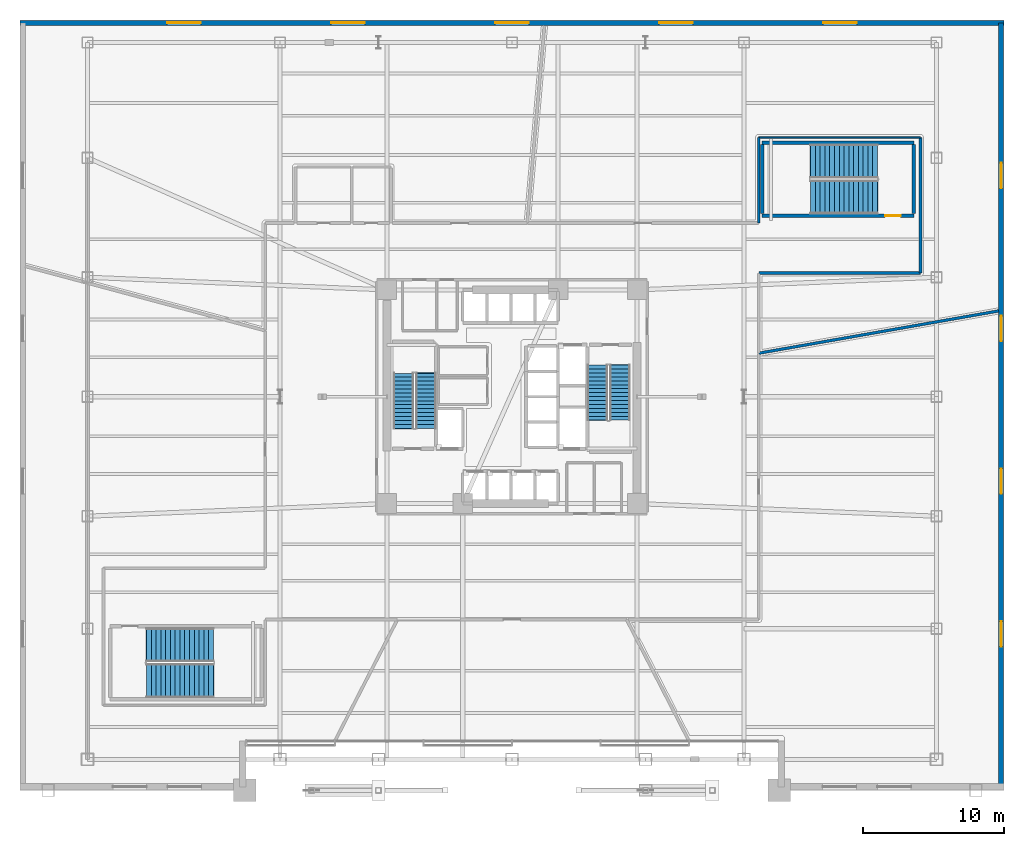
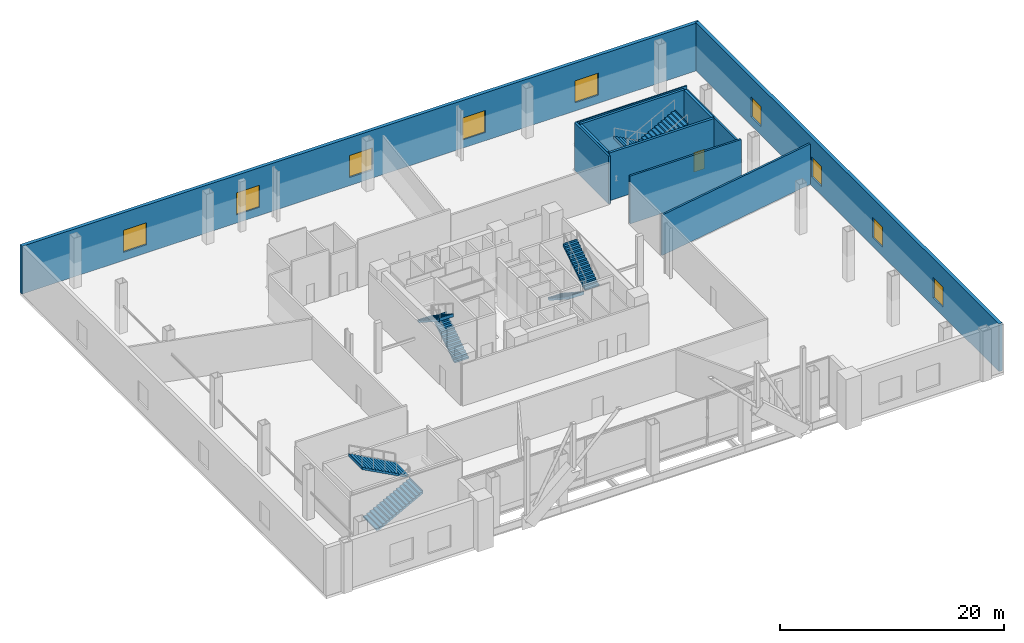
# One storey, part 11 of 16: 11 walls, 9 windows, 8 stair flights, 1 door, 10 openings, 4 elements without a shape of their own.
"""IFC4 building model written with IfcOpenShell, lengths in metres."""

from ifc_helpers import new_model, si_unit, direction, frame, frame_2d, origin, place, context, subcontext, project, spatial, polyline, rectangle, outline, extrude, material, layer, layer_set, type_object, element, fill, aggregate, save


model = new_model("IFC4")

# Units and contexts
model_context = context("Model", 3, precision=1e-05, world=origin(), true_north=direction((0.0, 1.0)))
body_context = subcontext(model_context, "Body", "Model", "MODEL_VIEW")
ifc_project = project(units=[si_unit("LENGTHUNIT", "METRE"), si_unit("AREAUNIT", "SQUARE_METRE"), si_unit("VOLUMEUNIT", "CUBIC_METRE"), si_unit("PLANEANGLEUNIT", "RADIAN"), si_unit("MASSUNIT", "GRAM", prefix="KILO")], contexts=[model_context])

# Site, building, storey
site_placement = place(None, origin())
site = spatial("IfcSite", under=ifc_project, at=site_placement, CompositionType="ELEMENT")
building_placement = place(site_placement, origin())
building = spatial("IfcBuilding", under=site, at=building_placement, Name="Tharavind Bronze Gate", CompositionType="ELEMENT")
storey_placement = place(building_placement, frame((0.0, 0.0, 5.5)))
storey = spatial("IfcBuildingStorey", under=building, at=storey_placement, Name="L01", CompositionType="ELEMENT", Elevation=5.5)

# Wall, openings, windows
ifc_material_1 = material(Name="Concrete C40/50", Category="concrete")
ifc_layer_1 = layer(ifc_material_1, 0.35009765625)
ifc_layer_set_1 = layer_set([ifc_layer_1], Name="Concrete C40/50")
wall_type_1 = type_object("IfcWallType", Name="EXTERIOR SPANDREL WALL 350", PredefinedType="STANDARD", material=ifc_layer_set_1)
wall_1_placement = place(storey_placement, frame((35.0, 26.60009765625, 0.0), z_axis=(0.0, 0.0, 1.0), x_axis=(-1.0, 0.0, 0.0)))
wall_1 = element("IfcWall", 1, at=wall_1_placement, inside=storey, type_object=wall_type_1, Name="L01 podium north facade wall", PredefinedType="STANDARD", context=body_context, shape_type="SweptSolid", body=[
    extrude(rectangle(XDim=70.0, YDim=0.35009765625, at=frame_2d((35.0, 0.0))), origin(), (0.0, 0.0, 1.0), 5.219970703125),
])
opening_1_placement = place(wall_1_placement, frame((10.467041015625, 0.0, 0.89990234375)))
opening_1 = element("IfcOpeningElement", 2, at=opening_1_placement, cuts=wall_1, Name="Opening W03", PredefinedType="OPENING", context=body_context, shape_type="SweptSolid", body=[
    extrude(rectangle(XDim=2.39990234375, YDim=2.39990234375, at=frame_2d((1.199951171875, 1.199951171875))), frame((0.0, 0.185048828125, 0.0), z_axis=(0.0, -1.0, 0.0), x_axis=(1.0, 0.0, 0.0)), (0.0, 0.0, 1.0), 0.37009765625),
])
opening_2_placement = place(wall_1_placement, frame((22.133056640625, 0.0, 0.89990234375)))
opening_2 = element("IfcOpeningElement", 3, at=opening_2_placement, cuts=wall_1, Name="Opening W03", PredefinedType="OPENING", context=body_context, shape_type="SweptSolid", body=[
    extrude(rectangle(XDim=2.39990234375, YDim=2.39990234375, at=frame_2d((1.199951171875, 1.199951171875))), frame((0.0, 0.185048828125, 0.0), z_axis=(0.0, -1.0, 0.0), x_axis=(1.0, 0.0, 0.0)), (0.0, 0.0, 1.0), 0.37009765625),
])
opening_3_placement = place(wall_1_placement, frame((33.800048828125, 0.0, 0.89990234375)))
opening_3 = element("IfcOpeningElement", 4, at=opening_3_placement, cuts=wall_1, Name="Opening W03", PredefinedType="OPENING", context=body_context, shape_type="SweptSolid", body=[
    extrude(rectangle(XDim=2.39990234375, YDim=2.39990234375, at=frame_2d((1.199951171875, 1.199951171875))), frame((0.0, 0.185048828125, 0.0), z_axis=(0.0, -1.0, 0.0), x_axis=(1.0, 0.0, 0.0)), (0.0, 0.0, 1.0), 0.37009765625),
])
opening_4_placement = place(wall_1_placement, frame((45.467041015625, 0.0, 0.89990234375)))
opening_4 = element("IfcOpeningElement", 5, at=opening_4_placement, cuts=wall_1, Name="Opening W03", PredefinedType="OPENING", context=body_context, shape_type="SweptSolid", body=[
    extrude(rectangle(XDim=2.39990234375, YDim=2.39990234375, at=frame_2d((1.199951171875, 1.199951171875))), frame((0.0, 0.185048828125, 0.0), z_axis=(0.0, -1.0, 0.0), x_axis=(1.0, 0.0, 0.0)), (0.0, 0.0, 1.0), 0.37009765625),
])
opening_5_placement = place(wall_1_placement, frame((57.133056640625, 0.0, 0.89990234375)))
opening_5 = element("IfcOpeningElement", 6, at=opening_5_placement, cuts=wall_1, Name="Opening W03", PredefinedType="OPENING", context=body_context, shape_type="SweptSolid", body=[
    extrude(rectangle(XDim=2.39990234375, YDim=2.39990234375, at=frame_2d((1.199951171875, 1.199951171875))), frame((0.0, 0.185048828125, 0.0), z_axis=(0.0, -1.0, 0.0), x_axis=(1.0, 0.0, 0.0)), (0.0, 0.0, 1.0), 0.37009765625),
])
ifc_material_2 = material(Name="Bronze Aluminium & Low-E Glass", Category="aluminium")
window_type_1 = type_object("IfcWindowType", Name="PODIUM RIBBON BRONZE WINDOW 2400X2400", PartitioningType="TRIPLE_PANEL_VERTICAL", PredefinedType="WINDOW", material=ifc_material_2)
window_1_placement = place(opening_1_placement, origin())
window_1 = element("IfcWindow", 7, at=window_1_placement, inside=storey, type_object=window_type_1, Name="L01 exterior window WL-L01-NO-01", OverallHeight=2.39990234375, OverallWidth=2.39990234375, PartitioningType="SINGLE_PANEL", PredefinedType="WINDOW", context=body_context, shape_type="SweptSolid", body=[
    extrude(rectangle(XDim=2.39990234375, YDim=2.39990234375, at=frame_2d((1.199951171875, 1.199951171875))), frame((0.0, 0.030029296875, 0.0), z_axis=(0.0, -1.0, 0.0), x_axis=(1.0, 0.0, 0.0)), (0.0, 0.0, 1.0), 0.06005859375),
])
fill(opening_1, window_1)
window_2_placement = place(opening_2_placement, origin())
window_2 = element("IfcWindow", 8, at=window_2_placement, inside=storey, type_object=window_type_1, Name="L01 exterior window WL-L01-NO-02", OverallHeight=2.39990234375, OverallWidth=2.39990234375, PartitioningType="SINGLE_PANEL", PredefinedType="WINDOW", context=body_context, shape_type="SweptSolid", body=[
    extrude(rectangle(XDim=2.39990234375, YDim=2.39990234375, at=frame_2d((1.199951171875, 1.199951171875))), frame((0.0, 0.030029296875, 0.0), z_axis=(0.0, -1.0, 0.0), x_axis=(1.0, 0.0, 0.0)), (0.0, 0.0, 1.0), 0.06005859375),
])
fill(opening_2, window_2)
window_3_placement = place(opening_3_placement, origin())
window_3 = element("IfcWindow", 9, at=window_3_placement, inside=storey, type_object=window_type_1, Name="L01 exterior window WL-L01-NO-03", OverallHeight=2.39990234375, OverallWidth=2.39990234375, PartitioningType="SINGLE_PANEL", PredefinedType="WINDOW", context=body_context, shape_type="SweptSolid", body=[
    extrude(rectangle(XDim=2.39990234375, YDim=2.39990234375, at=frame_2d((1.199951171875, 1.199951171875))), frame((0.0, 0.030029296875, 0.0), z_axis=(0.0, -1.0, 0.0), x_axis=(1.0, 0.0, 0.0)), (0.0, 0.0, 1.0), 0.06005859375),
])
fill(opening_3, window_3)
window_4_placement = place(opening_4_placement, origin())
window_4 = element("IfcWindow", 10, at=window_4_placement, inside=storey, type_object=window_type_1, Name="L01 exterior window WL-L01-NO-04", OverallHeight=2.39990234375, OverallWidth=2.39990234375, PartitioningType="SINGLE_PANEL", PredefinedType="WINDOW", context=body_context, shape_type="SweptSolid", body=[
    extrude(rectangle(XDim=2.39990234375, YDim=2.39990234375, at=frame_2d((1.199951171875, 1.199951171875))), frame((0.0, 0.030029296875, 0.0), z_axis=(0.0, -1.0, 0.0), x_axis=(1.0, 0.0, 0.0)), (0.0, 0.0, 1.0), 0.06005859375),
])
fill(opening_4, window_4)
window_5_placement = place(opening_5_placement, origin())
window_5 = element("IfcWindow", 11, at=window_5_placement, inside=storey, type_object=window_type_1, Name="L01 exterior window WL-L01-NO-05", OverallHeight=2.39990234375, OverallWidth=2.39990234375, PartitioningType="SINGLE_PANEL", PredefinedType="WINDOW", context=body_context, shape_type="SweptSolid", body=[
    extrude(rectangle(XDim=2.39990234375, YDim=2.39990234375, at=frame_2d((1.199951171875, 1.199951171875))), frame((0.0, 0.030029296875, 0.0), z_axis=(0.0, -1.0, 0.0), x_axis=(1.0, 0.0, 0.0)), (0.0, 0.0, 1.0), 0.06005859375),
])
fill(opening_5, window_5)

wall_2_placement = place(storey_placement, frame((34.800048828125, -27.75, 0.0), z_axis=(0.0, 0.0, 1.0), x_axis=(0.0, 1.0, 0.0)))
wall_2 = element("IfcWall", 12, at=wall_2_placement, inside=storey, type_object=wall_type_1, Name="L01 podium east facade wall", PredefinedType="STANDARD", context=body_context, shape_type="SweptSolid", body=[
    extrude(rectangle(XDim=54.35009765625, YDim=0.35009765625, at=frame_2d((27.175048828125, 0.0))), origin(), (0.0, 0.0, 1.0), 5.219970703125),
])
opening_6_placement = place(wall_2_placement, frame((9.969970703125, 0.0, 0.949951171875)))
opening_6 = element("IfcOpeningElement", 13, at=opening_6_placement, cuts=wall_2, Name="Opening W02", PredefinedType="OPENING", context=body_context, shape_type="SweptSolid", body=[
    extrude(rectangle(XDim=1.800048828125, YDim=2.199951171875, at=frame_2d((0.89990234375, 1.10009765625))), frame((0.0, 0.185048828125, 0.0), z_axis=(0.0, -1.0, 0.0), x_axis=(1.0, 0.0, 0.0)), (0.0, 0.0, 1.0), 0.37009765625),
])
opening_7_placement = place(wall_2_placement, frame((20.840087890625, 0.0, 0.949951171875)))
opening_7 = element("IfcOpeningElement", 14, at=opening_7_placement, cuts=wall_2, Name="Opening W02", PredefinedType="OPENING", context=body_context, shape_type="SweptSolid", body=[
    extrude(rectangle(XDim=1.800048828125, YDim=2.199951171875, at=frame_2d((0.89990234375, 1.10009765625))), frame((0.0, 0.185048828125, 0.0), z_axis=(0.0, -1.0, 0.0), x_axis=(1.0, 0.0, 0.0)), (0.0, 0.0, 1.0), 0.37009765625),
])
opening_8_placement = place(wall_2_placement, frame((31.7099609375, 0.0, 0.949951171875)))
opening_8 = element("IfcOpeningElement", 15, at=opening_8_placement, cuts=wall_2, Name="Opening W02", PredefinedType="OPENING", context=body_context, shape_type="SweptSolid", body=[
    extrude(rectangle(XDim=1.800048828125, YDim=2.199951171875, at=frame_2d((0.89990234375, 1.10009765625))), frame((0.0, 0.185048828125, 0.0), z_axis=(0.0, -1.0, 0.0), x_axis=(1.0, 0.0, 0.0)), (0.0, 0.0, 1.0), 0.37009765625),
])
opening_9_placement = place(wall_2_placement, frame((42.580078125, 0.0, 0.949951171875)))
opening_9 = element("IfcOpeningElement", 16, at=opening_9_placement, cuts=wall_2, Name="Opening W02", PredefinedType="OPENING", context=body_context, shape_type="SweptSolid", body=[
    extrude(rectangle(XDim=1.800048828125, YDim=2.199951171875, at=frame_2d((0.89990234375, 1.10009765625))), frame((0.0, 0.185048828125, 0.0), z_axis=(0.0, -1.0, 0.0), x_axis=(1.0, 0.0, 0.0)), (0.0, 0.0, 1.0), 0.37009765625),
])
window_type_2 = type_object("IfcWindowType", Name="DOUBLE PANEL BRONZE WINDOW 1800X2200", PartitioningType="DOUBLE_PANEL_VERTICAL", PredefinedType="WINDOW", material=ifc_material_2)
window_6_placement = place(opening_6_placement, origin())
window_6 = element("IfcWindow", 17, at=window_6_placement, inside=storey, type_object=window_type_2, Name="L01 exterior window WL-L01-EA-01", OverallHeight=2.199951171875, OverallWidth=1.800048828125, PartitioningType="SINGLE_PANEL", PredefinedType="WINDOW", context=body_context, shape_type="SweptSolid", body=[
    extrude(rectangle(XDim=1.800048828125, YDim=2.199951171875, at=frame_2d((0.89990234375, 1.10009765625))), frame((0.0, 0.030029296875, 0.0), z_axis=(0.0, -1.0, 0.0), x_axis=(1.0, 0.0, 0.0)), (0.0, 0.0, 1.0), 0.06005859375),
])
fill(opening_6, window_6)
window_7_placement = place(opening_7_placement, origin())
window_7 = element("IfcWindow", 18, at=window_7_placement, inside=storey, type_object=window_type_2, Name="L01 exterior window WL-L01-EA-02", OverallHeight=2.199951171875, OverallWidth=1.800048828125, PartitioningType="SINGLE_PANEL", PredefinedType="WINDOW", context=body_context, shape_type="SweptSolid", body=[
    extrude(rectangle(XDim=1.800048828125, YDim=2.199951171875, at=frame_2d((0.89990234375, 1.10009765625))), frame((0.0, 0.030029296875, 0.0), z_axis=(0.0, -1.0, 0.0), x_axis=(1.0, 0.0, 0.0)), (0.0, 0.0, 1.0), 0.06005859375),
])
fill(opening_7, window_7)
window_8_placement = place(opening_8_placement, origin())
window_8 = element("IfcWindow", 19, at=window_8_placement, inside=storey, type_object=window_type_2, Name="L01 exterior window WL-L01-EA-03", OverallHeight=2.199951171875, OverallWidth=1.800048828125, PartitioningType="SINGLE_PANEL", PredefinedType="WINDOW", context=body_context, shape_type="SweptSolid", body=[
    extrude(rectangle(XDim=1.800048828125, YDim=2.199951171875, at=frame_2d((0.89990234375, 1.10009765625))), frame((0.0, 0.030029296875, 0.0), z_axis=(0.0, -1.0, 0.0), x_axis=(1.0, 0.0, 0.0)), (0.0, 0.0, 1.0), 0.06005859375),
])
fill(opening_8, window_8)
window_9_placement = place(opening_9_placement, origin())
window_9 = element("IfcWindow", 20, at=window_9_placement, inside=storey, type_object=window_type_2, Name="L01 exterior window WL-L01-EA-04", OverallHeight=2.199951171875, OverallWidth=1.800048828125, PartitioningType="SINGLE_PANEL", PredefinedType="WINDOW", context=body_context, shape_type="SweptSolid", body=[
    extrude(rectangle(XDim=1.800048828125, YDim=2.199951171875, at=frame_2d((0.89990234375, 1.10009765625))), frame((0.0, 0.030029296875, 0.0), z_axis=(0.0, -1.0, 0.0), x_axis=(1.0, 0.0, 0.0)), (0.0, 0.0, 1.0), 0.06005859375),
])
fill(opening_9, window_9)

# Walls
ifc_material_3 = material(Name="Aerated Concrete Block", Category="concrete")
ifc_layer_2 = layer(ifc_material_3, 0.199951171875)
ifc_layer_set_2 = layer_set([ifc_layer_2], Name="Aerated Concrete Block")
wall_type_2 = type_object("IfcWallType", Name="FIRE RATED PARTITION 200", PredefinedType="PARTITIONING", material=ifc_layer_set_2)
wall_3_placement = place(storey_placement, frame((17.550048828125, 18.449462890625, 0.0), z_axis=(0.0, 0.0, 1.0), x_axis=(0.0, -1.0, 0.0)))
element("IfcWall", 21, at=wall_3_placement, inside=storey, type_object=wall_type_2, Name="L01 Mezzanine Art Gallery partition", PredefinedType="PARTITIONING", context=body_context, shape_type="SweptSolid", body=[
    extrude(rectangle(XDim=6.074462890625, YDim=0.199951171875, at=frame_2d((3.037109375, 0.0))), origin(), (0.0, 0.0, 1.0), 5.219970703125),
])
wall_4_placement = place(storey_placement, frame((34.6201171875, 6.1044921875, 0.0), z_axis=(0.0, 0.0, 1.0), x_axis=(-0.984806418521, -0.173655745772, 0.0)))
element("IfcWall", 22, at=wall_4_placement, inside=storey, type_object=wall_type_2, Name="L01 Mezzanine Art Gallery partition", PredefinedType="PARTITIONING", context=body_context, shape_type="SweptSolid", body=[
    extrude(rectangle(XDim=17.3037109375, YDim=0.199951171875, at=frame_2d((8.65185546875, 0.0))), origin(), (0.0, 0.0, 1.0), 4.4150390625),
])
wall_5_placement = place(storey_placement, frame((17.574951171875, 8.800048828125, 0.0), z_axis=(0.0, 0.0, 1.0), x_axis=(1.0, 0.0, 0.0)))
element("IfcWall", 23, at=wall_5_placement, inside=storey, type_object=wall_type_2, Name="L01 Mezzanine Art Gallery partition", PredefinedType="PARTITIONING", context=body_context, shape_type="SweptSolid", body=[
    extrude(rectangle(XDim=11.474365234375, YDim=0.199951171875, at=frame_2d((5.7373046875, 0.0))), origin(), (0.0, 0.0, 1.0), 5.219970703125),
])
wall_6_placement = place(storey_placement, frame((29.050048828125, 8.800537109375, 0.0), z_axis=(0.0, 0.0, 1.0), x_axis=(0.0, 1.0, 0.0)))
element("IfcWall", 24, at=wall_6_placement, inside=storey, type_object=wall_type_2, Name="L01 Mezzanine Art Gallery partition", PredefinedType="PARTITIONING", context=body_context, shape_type="SweptSolid", body=[
    extrude(rectangle(XDim=9.64892578125, YDim=0.199951171875, at=frame_2d((4.824462890625, 0.0))), origin(), (0.0, 0.0, 1.0), 4.764892578125),
])
ifc_material_4 = material(Name="Metal Stud Gypsum Partition", Category="gypsum")
ifc_layer_3 = layer(ifc_material_4, 0.1201171875)
ifc_layer_set_3 = layer_set([ifc_layer_3], Name="Metal Stud Gypsum Partition")
wall_type_3 = type_object("IfcWallType", Name="INTERIOR PARTITION WALL 120", PredefinedType="PARTITIONING", material=ifc_layer_set_3)
wall_7_placement = place(storey_placement, frame((29.04931640625, 18.449951171875, 0.0), z_axis=(0.0, 0.0, 1.0), x_axis=(-1.0, 0.0, 0.0)))
element("IfcWall", 25, at=wall_7_placement, inside=storey, type_object=wall_type_3, Name="L01 Mezzanine Art Gallery partition", PredefinedType="PARTITIONING", context=body_context, shape_type="SweptSolid", body=[
    extrude(rectangle(XDim=11.498779296875, YDim=0.1201171875, at=frame_2d((5.74951171875, 0.0))), origin(), (0.0, 0.0, 1.0), 5.219970703125),
])

# Wall, opening, door
ifc_material_5 = material(Name="Concrete C50/60", Category="concrete")
ifc_layer_4 = layer(ifc_material_5, 0.25)
ifc_layer_set_4 = layer_set([ifc_layer_4], Name="Concrete C50/60")
wall_type_4 = type_object("IfcWallType", Name="RC CORE SHEAR WALL 250", PredefinedType="SHEAR", material=ifc_layer_set_4)
wall_8_placement = place(storey_placement, frame((17.800048828125, 12.8701171875, 0.0), z_axis=(0.0, 0.0, 1.0), x_axis=(1.0, 0.0, 0.0)))
wall_8 = element("IfcWall", 26, at=wall_8_placement, inside=storey, type_object=wall_type_4, Name="L01 ST4 south wall", PredefinedType="SHEAR", context=body_context, shape_type="SweptSolid", body=[
    extrude(rectangle(XDim=10.780029296875, YDim=0.25, at=frame_2d((5.39013671875, 0.0))), origin(), (0.0, 0.0, 1.0), 5.219970703125),
])
opening_10_placement = place(wall_8_placement, frame((8.75, 0.0, 0.0)))
opening_10 = element("IfcOpeningElement", 27, at=opening_10_placement, cuts=wall_8, Name="Opening ID01", PredefinedType="OPENING", context=body_context, shape_type="SweptSolid", body=[
    extrude(rectangle(XDim=1.10009765625, YDim=2.14990234375, at=frame_2d((0.550048828125, 1.074951171875))), frame((0.0, 0.135, 0.0), z_axis=(0.0, -1.0, 0.0), x_axis=(1.0, 0.0, 0.0)), (0.0, 0.0, 1.0), 0.27),
])
ifc_material_6 = material(Name="Fire-Rated Steel", Category="steel")
door_type = type_object("IfcDoorType", Name="STAIR CORE FIRE DOOR 1100X2150", OperationType="SINGLE_SWING_LEFT", PredefinedType="DOOR", material=ifc_material_6)
door_placement = place(opening_10_placement, origin())
door = element("IfcDoor", 28, at=door_placement, inside=storey, type_object=door_type, Name="L01 podium stair ST4 fire door", OperationType="SINGLE_SWING_LEFT", OverallHeight=2.14990234375, OverallWidth=1.10009765625, PredefinedType="DOOR", context=body_context, shape_type="SweptSolid", body=[
    extrude(rectangle(XDim=1.10009765625, YDim=2.14990234375, at=frame_2d((0.550048828125, 1.074951171875))), frame((0.0, 0.02490234375, 0.0), z_axis=(0.0, -1.0, 0.0), x_axis=(1.0, 0.0, 0.0)), (0.0, 0.0, 1.0), 0.050048828125),
])
fill(opening_10, door)

# Walls
wall_9_placement = place(storey_placement, frame((17.800048828125, 18.080078125, 0.0), z_axis=(0.0, 0.0, 1.0), x_axis=(1.0, 0.0, 0.0)))
element("IfcWall", 29, at=wall_9_placement, inside=storey, type_object=wall_type_4, Name="L01 ST4 north wall", PredefinedType="SHEAR", context=body_context, shape_type="SweptSolid", body=[
    extrude(rectangle(XDim=10.780029296875, YDim=0.25, at=frame_2d((5.39013671875, 0.0))), origin(), (0.0, 0.0, 1.0), 5.219970703125),
])
for number, where, z_axis, x_axis, name in (
    (30, (17.800048828125, 13.02001953125, 0.0), (0.0, 0.0, 1.0), (0.0, 1.0, 0.0), "L01 ST4 west wall"),
    (31, (28.580078125, 13.02001953125, 0.0), (0.0, 0.0, 1.0), (0.0, 1.0, 0.0), "L01 ST4 east wall"),
):
    element("IfcWall", number, at=place(storey_placement, frame(where, z_axis=z_axis, x_axis=x_axis)), inside=storey, type_object=wall_type_4, Name=name, PredefinedType="SHEAR", context=body_context, shape_type="SweptSolid", body=[
        extrude(rectangle(XDim=4.909912109375, YDim=0.25, at=frame_2d((2.455078125, 0.0))), origin(), (0.0, 0.0, 1.0), 5.219970703125),
    ])

# Stair, stair flights
stair_type_1 = type_object("IfcStairType", Name="CORE HALF TURN STAIR 1450", PredefinedType="HALF_TURN_STAIR", material=ifc_material_1)
stair_1_placement = place(storey_placement, origin())
stair_1 = element("IfcStair", 32, at=stair_1_placement, inside=storey, type_object=stair_type_1, Name="L01 Protected Exit Stair ST1", PredefinedType="HALF_TURN_STAIR")
stair_flight_type_1 = type_object("IfcStairFlightType", Name="CORE STAIR FLIGHT 1450", PredefinedType="STRAIGHT", material=ifc_material_1)
stair_flight_1_placement = place(storey_placement, frame((-6.125, -2.25, 0.0), z_axis=(0.0, 0.0, 1.0), x_axis=(0.0, 1.0, 0.0)))
stair_flight_1 = element("IfcStairFlight", 33, at=stair_flight_1_placement, type_object=stair_flight_type_1, Name="ST1 flight 1", NumberOfRisers=15, NumberOfTreads=14, PredefinedType="STRAIGHT", RiserHeight=0.183333333, TreadLength=0.28, context=body_context, shape_type="SweptSolid", body=[
    extrude(outline(polyline([(0.0, 0.0), (0.0, 0.183349609375), (0.280029296875, 0.183349609375), (0.280029296875, 0.36669921875), (0.56005859375, 0.36669921875), (0.56005859375, 0.550048828125), (0.840087890625, 0.550048828125), (0.840087890625, 0.7333984375), (1.1201171875, 0.7333984375), (1.1201171875, 0.916748046875), (1.39990234375, 0.916748046875), (1.39990234375, 1.10009765625), (1.679931640625, 1.10009765625), (1.679931640625, 1.283447265625), (1.9599609375, 1.283447265625), (1.9599609375, 1.466552734375), (2.239990234375, 1.466552734375), (2.239990234375, 1.64990234375), (2.52001953125, 1.64990234375), (2.52001953125, 1.833251953125), (2.800048828125, 1.833251953125), (2.800048828125, 2.0166015625), (3.080078125, 2.0166015625), (3.080078125, 2.199951171875), (3.360107421875, 2.199951171875), (3.360107421875, 2.38330078125), (3.639892578125, 2.38330078125), (3.639892578125, 2.566650390625), (3.919921875, 2.566650390625), (3.919921875, 2.75), (3.9560546875, 2.75), (3.9560546875, 2.387451171875), (0.273681640625, 0.0), (0.0, 0.0)])), frame((0.0, 0.72509765625, 0.0), z_axis=(0.0, -1.0, 0.0), x_axis=(1.0, 0.0, 0.0)), (0.0, 0.0, 1.0), 1.449951171875),
])
stair_flight_2_placement = place(storey_placement, frame((-7.72509765625, 1.669921875, 2.75), z_axis=(0.0, 0.0, 1.0), x_axis=(0.0, -1.0, 0.0)))
stair_flight_2 = element("IfcStairFlight", 34, at=stair_flight_2_placement, type_object=stair_flight_type_1, Name="ST1 flight 2", NumberOfRisers=15, NumberOfTreads=14, PredefinedType="STRAIGHT", RiserHeight=0.183333333, TreadLength=0.28, context=body_context, shape_type="SweptSolid", body=[
    extrude(outline(polyline([(0.0, 0.0), (0.0, 0.183349609375), (0.280029296875, 0.183349609375), (0.280029296875, 0.36669921875), (0.56005859375, 0.36669921875), (0.56005859375, 0.550048828125), (0.840087890625, 0.550048828125), (0.840087890625, 0.7333984375), (1.1201171875, 0.7333984375), (1.1201171875, 0.916748046875), (1.39990234375, 0.916748046875), (1.39990234375, 1.10009765625), (1.679931640625, 1.10009765625), (1.679931640625, 1.283447265625), (1.9599609375, 1.283447265625), (1.9599609375, 1.466552734375), (2.239990234375, 1.466552734375), (2.239990234375, 1.64990234375), (2.52001953125, 1.64990234375), (2.52001953125, 1.833251953125), (2.800048828125, 1.833251953125), (2.800048828125, 2.0166015625), (3.080078125, 2.0166015625), (3.080078125, 2.199951171875), (3.360107421875, 2.199951171875), (3.360107421875, 2.38330078125), (3.639892578125, 2.38330078125), (3.639892578125, 2.566650390625), (3.919921875, 2.566650390625), (3.919921875, 2.75), (3.9560546875, 2.75), (3.9560546875, 2.387451171875), (0.273681640625, 0.0), (0.0, 0.0)])), frame((0.0, 0.72509765625, 0.0), z_axis=(0.0, -1.0, 0.0), x_axis=(1.0, 0.0, 0.0)), (0.0, 0.0, 1.0), 1.449951171875),
])
aggregate(stair_1, [stair_flight_1, stair_flight_2])

stair_2_placement = place(storey_placement, origin())
stair_2 = element("IfcStair", 35, at=stair_2_placement, inside=storey, type_object=stair_type_1, Name="L01 Protected Exit Stair ST2", PredefinedType="HALF_TURN_STAIR")
stair_flight_3_placement = place(storey_placement, frame((6.074951171875, 2.25, 0.0), z_axis=(0.0, 0.0, 1.0), x_axis=(0.0, -1.0, 0.0)))
stair_flight_3 = element("IfcStairFlight", 36, at=stair_flight_3_placement, type_object=stair_flight_type_1, Name="ST2 flight 1", NumberOfRisers=15, NumberOfTreads=14, PredefinedType="STRAIGHT", RiserHeight=0.183333333, TreadLength=0.28, context=body_context, shape_type="SweptSolid", body=[
    extrude(outline(polyline([(0.0, 0.0), (0.0, 0.183349609375), (0.280029296875, 0.183349609375), (0.280029296875, 0.36669921875), (0.56005859375, 0.36669921875), (0.56005859375, 0.550048828125), (0.840087890625, 0.550048828125), (0.840087890625, 0.7333984375), (1.1201171875, 0.7333984375), (1.1201171875, 0.916748046875), (1.39990234375, 0.916748046875), (1.39990234375, 1.10009765625), (1.679931640625, 1.10009765625), (1.679931640625, 1.283447265625), (1.9599609375, 1.283447265625), (1.9599609375, 1.466552734375), (2.239990234375, 1.466552734375), (2.239990234375, 1.64990234375), (2.52001953125, 1.64990234375), (2.52001953125, 1.833251953125), (2.800048828125, 1.833251953125), (2.800048828125, 2.0166015625), (3.080078125, 2.0166015625), (3.080078125, 2.199951171875), (3.360107421875, 2.199951171875), (3.360107421875, 2.38330078125), (3.639892578125, 2.38330078125), (3.639892578125, 2.566650390625), (3.919921875, 2.566650390625), (3.919921875, 2.75), (3.9560546875, 2.75), (3.9560546875, 2.387451171875), (0.273681640625, 0.0), (0.0, 0.0)])), frame((0.0, 0.72509765625, 0.0), z_axis=(0.0, -1.0, 0.0), x_axis=(1.0, 0.0, 0.0)), (0.0, 0.0, 1.0), 1.449951171875),
])
stair_flight_4_placement = place(storey_placement, frame((7.675048828125, -1.669921875, 2.75), z_axis=(0.0, 0.0, 1.0), x_axis=(0.0, 1.0, 0.0)))
stair_flight_4 = element("IfcStairFlight", 37, at=stair_flight_4_placement, type_object=stair_flight_type_1, Name="ST2 flight 2", NumberOfRisers=15, NumberOfTreads=14, PredefinedType="STRAIGHT", RiserHeight=0.183333333, TreadLength=0.28, context=body_context, shape_type="SweptSolid", body=[
    extrude(outline(polyline([(0.0, 0.0), (0.0, 0.183349609375), (0.280029296875, 0.183349609375), (0.280029296875, 0.36669921875), (0.56005859375, 0.36669921875), (0.56005859375, 0.550048828125), (0.840087890625, 0.550048828125), (0.840087890625, 0.7333984375), (1.1201171875, 0.7333984375), (1.1201171875, 0.916748046875), (1.39990234375, 0.916748046875), (1.39990234375, 1.10009765625), (1.679931640625, 1.10009765625), (1.679931640625, 1.283447265625), (1.9599609375, 1.283447265625), (1.9599609375, 1.466552734375), (2.239990234375, 1.466552734375), (2.239990234375, 1.64990234375), (2.52001953125, 1.64990234375), (2.52001953125, 1.833251953125), (2.800048828125, 1.833251953125), (2.800048828125, 2.0166015625), (3.080078125, 2.0166015625), (3.080078125, 2.199951171875), (3.360107421875, 2.199951171875), (3.360107421875, 2.38330078125), (3.639892578125, 2.38330078125), (3.639892578125, 2.566650390625), (3.919921875, 2.566650390625), (3.919921875, 2.75), (3.9560546875, 2.75), (3.9560546875, 2.387451171875), (0.273681640625, 0.0), (0.0, 0.0)])), frame((0.0, 0.72509765625, 0.0), z_axis=(0.0, -1.0, 0.0), x_axis=(1.0, 0.0, 0.0)), (0.0, 0.0, 1.0), 1.449951171875),
])
aggregate(stair_2, [stair_flight_3, stair_flight_4])

stair_type_2 = type_object("IfcStairType", Name="PODIUM HALF TURN STAIR 2400", PredefinedType="HALF_TURN_STAIR", material=ifc_material_1)
stair_3_placement = place(storey_placement, origin())
stair_3 = element("IfcStair", 38, at=stair_3_placement, inside=storey, type_object=stair_type_2, Name="L01 Protected Exit Stair ST3", PredefinedType="HALF_TURN_STAIR")
stair_flight_type_2 = type_object("IfcStairFlightType", Name="PODIUM STAIR FLIGHT 2400", PredefinedType="STRAIGHT", material=ifc_material_1)
stair_flight_5_placement = place(storey_placement, frame((-26.0, -20.199951171875, 0.0), z_axis=(0.0, 0.0, 1.0), x_axis=(1.0, 0.0, 0.0)))
stair_flight_5 = element("IfcStairFlight", 39, at=stair_flight_5_placement, type_object=stair_flight_type_2, Name="ST3 flight 1", NumberOfRisers=15, NumberOfTreads=14, PredefinedType="STRAIGHT", RiserHeight=0.183333333, TreadLength=0.34, context=body_context, shape_type="SweptSolid", body=[
    extrude(outline(polyline([(0.0, 0.0), (0.0, 0.183349609375), (0.340087890625, 0.183349609375), (0.340087890625, 0.36669921875), (0.679931640625, 0.36669921875), (0.679931640625, 0.550048828125), (1.02001953125, 0.550048828125), (1.02001953125, 0.7333984375), (1.360107421875, 0.7333984375), (1.360107421875, 0.916748046875), (1.699951171875, 0.916748046875), (1.699951171875, 1.10009765625), (2.0400390625, 1.10009765625), (2.0400390625, 1.283447265625), (2.3798828125, 1.283447265625), (2.3798828125, 1.466552734375), (2.719970703125, 1.466552734375), (2.719970703125, 1.64990234375), (3.06005859375, 1.64990234375), (3.06005859375, 1.833251953125), (3.39990234375, 1.833251953125), (3.39990234375, 2.0166015625), (3.739990234375, 2.0166015625), (3.739990234375, 2.199951171875), (4.080078125, 2.199951171875), (4.080078125, 2.38330078125), (4.419921875, 2.38330078125), (4.419921875, 2.566650390625), (4.760009765625, 2.566650390625), (4.760009765625, 2.75), (4.7958984375, 2.75), (4.7958984375, 2.396240234375), (0.31591796875, 0.0), (0.0, 0.0)])), frame((0.0, 1.199951171875, 0.0), z_axis=(0.0, -1.0, 0.0), x_axis=(1.0, 0.0, 0.0)), (0.0, 0.0, 1.0), 2.39990234375),
])
stair_flight_6_placement = place(storey_placement, frame((-21.239990234375, -17.64990234375, 2.75), z_axis=(0.0, 0.0, 1.0), x_axis=(-1.0, 0.0, 0.0)))
stair_flight_6 = element("IfcStairFlight", 40, at=stair_flight_6_placement, type_object=stair_flight_type_2, Name="ST3 flight 2", NumberOfRisers=15, NumberOfTreads=14, PredefinedType="STRAIGHT", RiserHeight=0.183333333, TreadLength=0.34, context=body_context, shape_type="SweptSolid", body=[
    extrude(outline(polyline([(0.0, 0.0), (0.0, 0.183349609375), (0.340087890625, 0.183349609375), (0.340087890625, 0.36669921875), (0.679931640625, 0.36669921875), (0.679931640625, 0.550048828125), (1.02001953125, 0.550048828125), (1.02001953125, 0.7333984375), (1.360107421875, 0.7333984375), (1.360107421875, 0.916748046875), (1.699951171875, 0.916748046875), (1.699951171875, 1.10009765625), (2.0400390625, 1.10009765625), (2.0400390625, 1.283447265625), (2.3798828125, 1.283447265625), (2.3798828125, 1.466552734375), (2.719970703125, 1.466552734375), (2.719970703125, 1.64990234375), (3.06005859375, 1.64990234375), (3.06005859375, 1.833251953125), (3.39990234375, 1.833251953125), (3.39990234375, 2.0166015625), (3.739990234375, 2.0166015625), (3.739990234375, 2.199951171875), (4.080078125, 2.199951171875), (4.080078125, 2.38330078125), (4.419921875, 2.38330078125), (4.419921875, 2.566650390625), (4.760009765625, 2.566650390625), (4.760009765625, 2.75), (4.7958984375, 2.75), (4.7958984375, 2.396240234375), (0.31591796875, 0.0), (0.0, 0.0)])), frame((0.0, 1.199951171875, 0.0), z_axis=(0.0, -1.0, 0.0), x_axis=(1.0, 0.0, 0.0)), (0.0, 0.0, 1.0), 2.39990234375),
])
aggregate(stair_3, [stair_flight_5, stair_flight_6])

stair_4_placement = place(storey_placement, origin())
stair_4 = element("IfcStair", 41, at=stair_4_placement, inside=storey, type_object=stair_type_2, Name="L01 Protected Exit Stair ST4", PredefinedType="HALF_TURN_STAIR")
stair_flight_7_placement = place(storey_placement, frame((26.0, 16.75, 0.0), z_axis=(0.0, 0.0, 1.0), x_axis=(-1.0, 0.0, 0.0)))
stair_flight_7 = element("IfcStairFlight", 42, at=stair_flight_7_placement, type_object=stair_flight_type_2, Name="ST4 flight 1", NumberOfRisers=15, NumberOfTreads=14, PredefinedType="STRAIGHT", RiserHeight=0.183333333, TreadLength=0.34, context=body_context, shape_type="SweptSolid", body=[
    extrude(outline(polyline([(0.0, 0.0), (0.0, 0.183349609375), (0.340087890625, 0.183349609375), (0.340087890625, 0.36669921875), (0.679931640625, 0.36669921875), (0.679931640625, 0.550048828125), (1.02001953125, 0.550048828125), (1.02001953125, 0.7333984375), (1.360107421875, 0.7333984375), (1.360107421875, 0.916748046875), (1.699951171875, 0.916748046875), (1.699951171875, 1.10009765625), (2.0400390625, 1.10009765625), (2.0400390625, 1.283447265625), (2.3798828125, 1.283447265625), (2.3798828125, 1.466552734375), (2.719970703125, 1.466552734375), (2.719970703125, 1.64990234375), (3.06005859375, 1.64990234375), (3.06005859375, 1.833251953125), (3.39990234375, 1.833251953125), (3.39990234375, 2.0166015625), (3.739990234375, 2.0166015625), (3.739990234375, 2.199951171875), (4.080078125, 2.199951171875), (4.080078125, 2.38330078125), (4.419921875, 2.38330078125), (4.419921875, 2.566650390625), (4.760009765625, 2.566650390625), (4.760009765625, 2.75), (4.7958984375, 2.75), (4.7958984375, 2.396240234375), (0.31591796875, 0.0), (0.0, 0.0)])), frame((0.0, 1.199951171875, 0.0), z_axis=(0.0, -1.0, 0.0), x_axis=(1.0, 0.0, 0.0)), (0.0, 0.0, 1.0), 2.39990234375),
])
stair_flight_8_placement = place(storey_placement, frame((21.239990234375, 14.199951171875, 2.75), z_axis=(0.0, 0.0, 1.0), x_axis=(1.0, 0.0, 0.0)))
stair_flight_8 = element("IfcStairFlight", 43, at=stair_flight_8_placement, type_object=stair_flight_type_2, Name="ST4 flight 2", NumberOfRisers=15, NumberOfTreads=14, PredefinedType="STRAIGHT", RiserHeight=0.183333333, TreadLength=0.34, context=body_context, shape_type="SweptSolid", body=[
    extrude(outline(polyline([(0.0, 0.0), (0.0, 0.183349609375), (0.340087890625, 0.183349609375), (0.340087890625, 0.36669921875), (0.679931640625, 0.36669921875), (0.679931640625, 0.550048828125), (1.02001953125, 0.550048828125), (1.02001953125, 0.7333984375), (1.360107421875, 0.7333984375), (1.360107421875, 0.916748046875), (1.699951171875, 0.916748046875), (1.699951171875, 1.10009765625), (2.0400390625, 1.10009765625), (2.0400390625, 1.283447265625), (2.3798828125, 1.283447265625), (2.3798828125, 1.466552734375), (2.719970703125, 1.466552734375), (2.719970703125, 1.64990234375), (3.06005859375, 1.64990234375), (3.06005859375, 1.833251953125), (3.39990234375, 1.833251953125), (3.39990234375, 2.0166015625), (3.739990234375, 2.0166015625), (3.739990234375, 2.199951171875), (4.080078125, 2.199951171875), (4.080078125, 2.38330078125), (4.419921875, 2.38330078125), (4.419921875, 2.566650390625), (4.760009765625, 2.566650390625), (4.760009765625, 2.75), (4.7958984375, 2.75), (4.7958984375, 2.396240234375), (0.31591796875, 0.0), (0.0, 0.0)])), frame((0.0, 1.199951171875, 0.0), z_axis=(0.0, -1.0, 0.0), x_axis=(1.0, 0.0, 0.0)), (0.0, 0.0, 1.0), 2.39990234375),
])
aggregate(stair_4, [stair_flight_7, stair_flight_8])

save(model, "model.ifc")
